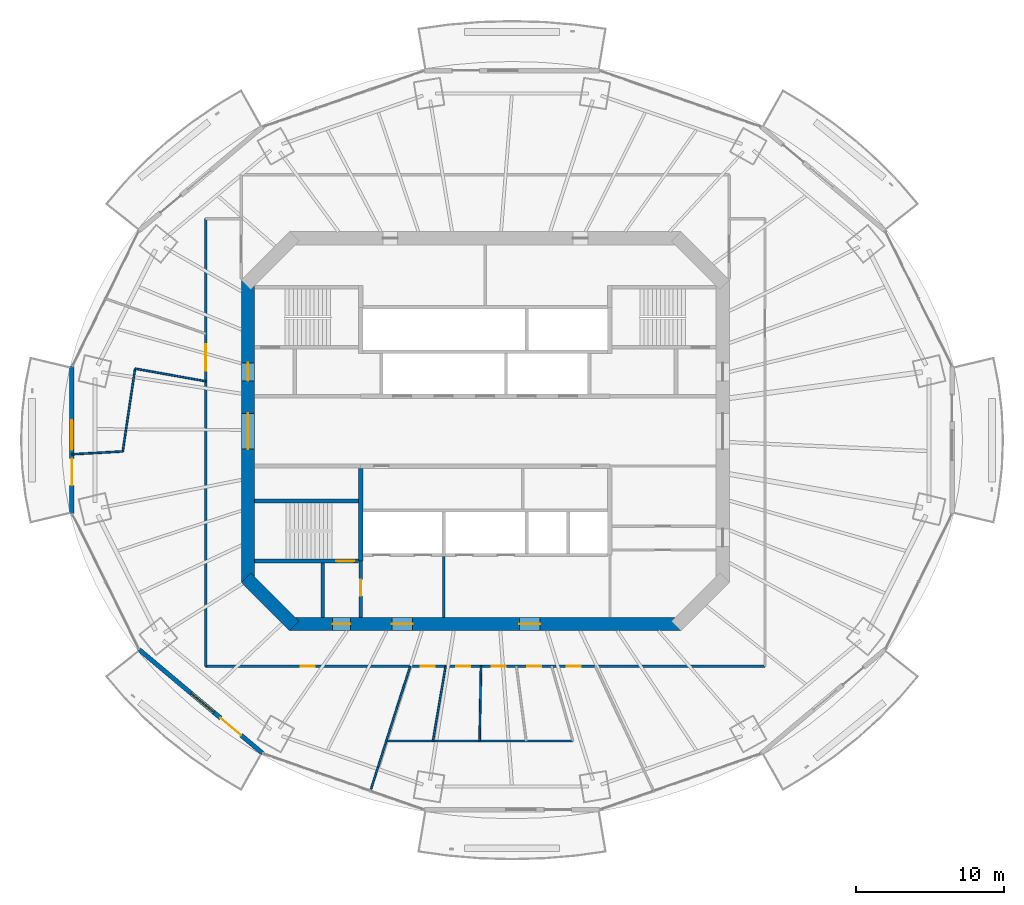
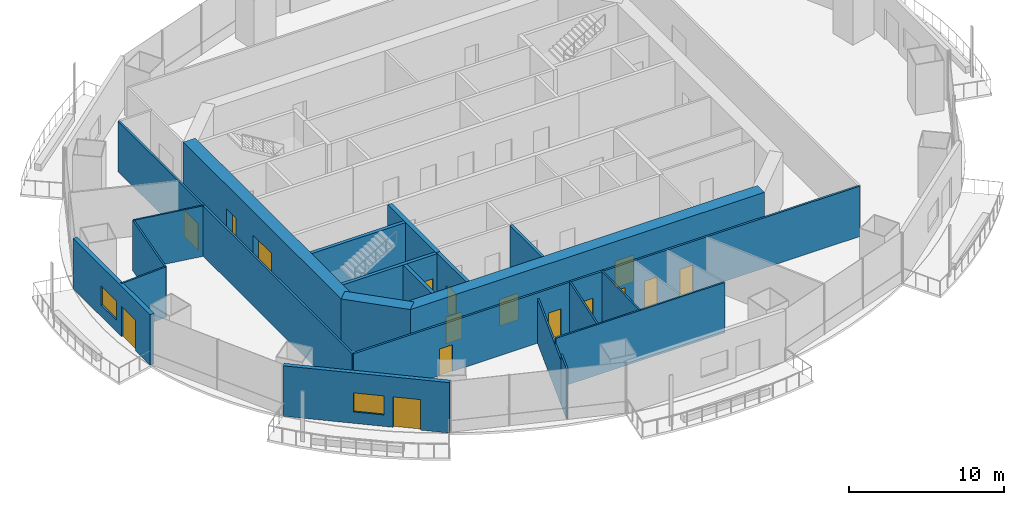
# One storey, part 10 of 19: 21 walls, 16 doors, 2 windows, 18 openings.
"""IFC4 building model written with IfcOpenShell, lengths in metres."""

from ifc_helpers import new_model, si_unit, direction, frame, frame_2d, origin, place, context, subcontext, project, spatial, rectangle, extrude, material, layer, layer_set, type_object, element, fill, save


model = new_model("IFC4")

# Units and contexts
model_context = context("Model", 3, precision=1e-05, world=origin(), true_north=direction((0.0, 1.0)))
body_context = subcontext(model_context, "Body", "Model", "MODEL_VIEW")
ifc_project = project(units=[si_unit("LENGTHUNIT", "METRE"), si_unit("AREAUNIT", "SQUARE_METRE"), si_unit("VOLUMEUNIT", "CUBIC_METRE"), si_unit("PLANEANGLEUNIT", "RADIAN"), si_unit("MASSUNIT", "GRAM", prefix="KILO")], contexts=[model_context])

# Site, building, storey
site_placement = place(None, origin())
site = spatial("IfcSite", under=ifc_project, at=site_placement, CompositionType="ELEMENT")
building_placement = place(site_placement, origin())
building = spatial("IfcBuilding", under=site, at=building_placement, Name="Marenthal Gate Tower", CompositionType="ELEMENT")
storey_placement = place(building_placement, frame((0.0, 0.0, 235.75)))
storey = spatial("IfcBuildingStorey", under=building, at=storey_placement, Name="L52", CompositionType="ELEMENT", Elevation=235.75)

# Wall, openings, doors
ifc_material_1 = material(Name="Concrete 60 MPa", Category="concrete")
ifc_layer_1 = layer(ifc_material_1, 0.89990234375)
ifc_layer_set_1 = layer_set([ifc_layer_1], Name="Core shear wall 900")
wall_type_1 = type_object("IfcWallType", Name="Core shear wall 900", PredefinedType="SHEAR", material=ifc_layer_set_1)
wall_1_placement = place(storey_placement, frame((-16.0, 10.186279296875, -0.179931640625), z_axis=(0.0, 0.0, 1.0), x_axis=(0.0, -1.0, 0.0)))
wall_1 = element("IfcWall", 1, at=wall_1_placement, inside=storey, type_object=wall_type_1, Name="Core wall 06", PredefinedType="SHEAR", context=body_context, shape_type="SweptSolid", body=[
    extrude(rectangle(XDim=20.37255859375, YDim=0.89990234375, at=frame_2d((10.186279296875, 0.0))), origin(), (0.0, 0.0, 1.0), 4.14990234375),
])
opening_1_placement = place(wall_1_placement, frame((8.986328125, 0.0, 0.179931640625)))
opening_1 = element("IfcOpeningElement", 2, at=opening_1_placement, cuts=wall_1, Name="Opening D003.01", PredefinedType="OPENING", context=body_context, shape_type="SweptSolid", body=[
    extrude(rectangle(XDim=2.39990234375, YDim=2.10009765625, at=frame_2d((1.199951171875, 1.050048828125))), frame((0.0, 0.4599609375, 0.0), z_axis=(0.0, -1.0, 0.0), x_axis=(1.0, 0.0, 0.0)), (0.0, 0.0, 1.0), 0.919921875),
])
opening_2_placement = place(wall_1_placement, frame((5.58642578125, 0.0, 0.179931640625)))
opening_2 = element("IfcOpeningElement", 3, at=opening_2_placement, cuts=wall_1, Name="Opening D001.04", PredefinedType="OPENING", context=body_context, shape_type="SweptSolid", body=[
    extrude(rectangle(XDim=1.199951171875, YDim=2.10009765625, at=frame_2d((0.60009765625, 1.050048828125))), frame((0.0, 0.4599609375, 0.0), z_axis=(0.0, -1.0, 0.0), x_axis=(1.0, 0.0, 0.0)), (0.0, 0.0, 1.0), 0.919921875),
])
ifc_material_2 = material(Name="Steel fire door", Category="steel")
door_type_1 = type_object("IfcDoorType", Name="Double fire door FD 45 2400 x 2100", OperationType="DOUBLE_DOOR_SINGLE_SWING", PredefinedType="DOOR", material=ifc_material_2)
door_1_placement = place(opening_1_placement, origin())
door_1 = element("IfcDoor", 4, at=door_1_placement, inside=storey, type_object=door_type_1, Name="Door D003.01", OperationType="DOUBLE_DOOR_SINGLE_SWING", OverallHeight=2.10009765625, OverallWidth=2.39990234375, PredefinedType="DOOR", context=body_context, shape_type="SweptSolid", body=[
    extrude(rectangle(XDim=2.39990234375, YDim=2.10009765625, at=frame_2d((1.199951171875, 1.050048828125))), frame((0.0, 0.02490234375, 0.0), z_axis=(0.0, -1.0, 0.0), x_axis=(1.0, 0.0, 0.0)), (0.0, 0.0, 1.0), 0.050048828125),
])
fill(opening_1, door_1)
ifc_material_3 = material(Name="Steel fire door", Category="steel")
door_type_2 = type_object("IfcDoorType", Name="Fire door FD 90 1200 x 2100", OperationType="NOTDEFINED", PredefinedType="DOOR", material=ifc_material_3)
door_2_placement = place(opening_2_placement, origin())
door_2 = element("IfcDoor", 5, at=door_2_placement, inside=storey, type_object=door_type_2, Name="Door D001.04", OperationType="SINGLE_SWING_RIGHT", OverallHeight=2.10009765625, OverallWidth=1.199951171875, PredefinedType="DOOR", context=body_context, shape_type="SweptSolid", body=[
    extrude(rectangle(XDim=1.199951171875, YDim=2.10009765625, at=frame_2d((0.60009765625, 1.050048828125))), frame((0.0, 0.02490234375, 0.0), z_axis=(0.0, -1.0, 0.0), x_axis=(1.0, 0.0, 0.0)), (0.0, 0.0, 1.0), 0.050048828125),
])
fill(opening_2, door_2)

# Wall
wall_2_placement = place(storey_placement, frame((-16.1318359375, -9.8681640625, -0.179931640625), z_axis=(0.0, 0.0, 1.0), x_axis=(0.707106781187, -0.707106781187, 0.0)))
element("IfcWall", 6, at=wall_2_placement, inside=storey, type_object=wall_type_1, Name="Core wall 07", PredefinedType="SHEAR", context=body_context, shape_type="SweptSolid", body=[
    extrude(rectangle(XDim=4.615478515625, YDim=0.89990234375, at=frame_2d((2.3076171875, 0.0))), origin(), (0.0, 0.0, 1.0), 4.14990234375),
])

# Wall, openings, doors
wall_3_placement = place(storey_placement, frame((-13.186279296875, -13.0, -0.179931640625), z_axis=(0.0, 0.0, 1.0), x_axis=(1.0, 0.0, 0.0)))
wall_3 = element("IfcWall", 7, at=wall_3_placement, inside=storey, type_object=wall_type_1, Name="Core wall 08", PredefinedType="SHEAR", context=body_context, shape_type="SweptSolid", body=[
    extrude(rectangle(XDim=26.37255859375, YDim=0.89990234375, at=frame_2d((13.186279296875, 0.0))), origin(), (0.0, 0.0, 1.0), 4.14990234375),
])
opening_3_placement = place(wall_3_placement, frame((2.886474609375, 0.0, 0.179931640625)))
opening_3 = element("IfcOpeningElement", 8, at=opening_3_placement, cuts=wall_3, Name="Opening D001.06", PredefinedType="OPENING", context=body_context, shape_type="SweptSolid", body=[
    extrude(rectangle(XDim=1.199951171875, YDim=2.10009765625, at=frame_2d((0.60009765625, 1.050048828125))), frame((0.0, 0.4599609375, 0.0), z_axis=(0.0, -1.0, 0.0), x_axis=(1.0, 0.0, 0.0)), (0.0, 0.0, 1.0), 0.919921875),
])
opening_4_placement = place(wall_3_placement, frame((6.886474609375, 0.0, 0.179931640625)))
opening_4 = element("IfcOpeningElement", 9, at=opening_4_placement, cuts=wall_3, Name="Opening D004.01", PredefinedType="OPENING", context=body_context, shape_type="SweptSolid", body=[
    extrude(rectangle(XDim=1.39990234375, YDim=2.10009765625, at=frame_2d((0.699951171875, 1.050048828125))), frame((0.0, 0.4599609375, 0.0), z_axis=(0.0, -1.0, 0.0), x_axis=(1.0, 0.0, 0.0)), (0.0, 0.0, 1.0), 0.919921875),
])
opening_5_placement = place(wall_3_placement, frame((15.486328125, 0.0, 0.179931640625)))
opening_5 = element("IfcOpeningElement", 10, at=opening_5_placement, cuts=wall_3, Name="Opening D004.02", PredefinedType="OPENING", context=body_context, shape_type="SweptSolid", body=[
    extrude(rectangle(XDim=1.39990234375, YDim=2.10009765625, at=frame_2d((0.699951171875, 1.050048828125))), frame((0.0, 0.4599609375, 0.0), z_axis=(0.0, -1.0, 0.0), x_axis=(1.0, 0.0, 0.0)), (0.0, 0.0, 1.0), 0.919921875),
])
ifc_material_4 = material(Name="Steel fire door", Category="steel")
door_type_3 = type_object("IfcDoorType", Name="Fire door FD 45 1400 x 2100", OperationType="NOTDEFINED", PredefinedType="DOOR", material=ifc_material_4)
door_3_placement = place(opening_4_placement, origin())
door_3 = element("IfcDoor", 11, at=door_3_placement, inside=storey, type_object=door_type_3, Name="Door D004.01", OperationType="SINGLE_SWING_RIGHT", OverallHeight=2.10009765625, OverallWidth=1.39990234375, PredefinedType="DOOR", context=body_context, shape_type="SweptSolid", body=[
    extrude(rectangle(XDim=1.39990234375, YDim=2.10009765625, at=frame_2d((0.699951171875, 1.050048828125))), frame((0.0, 0.02490234375, 0.0), z_axis=(0.0, -1.0, 0.0), x_axis=(1.0, 0.0, 0.0)), (0.0, 0.0, 1.0), 0.050048828125),
])
fill(opening_4, door_3)
door_4_placement = place(opening_5_placement, origin())
door_4 = element("IfcDoor", 12, at=door_4_placement, inside=storey, type_object=door_type_3, Name="Door D004.02", OperationType="SINGLE_SWING_RIGHT", OverallHeight=2.10009765625, OverallWidth=1.39990234375, PredefinedType="DOOR", context=body_context, shape_type="SweptSolid", body=[
    extrude(rectangle(XDim=1.39990234375, YDim=2.10009765625, at=frame_2d((0.699951171875, 1.050048828125))), frame((0.0, 0.02490234375, 0.0), z_axis=(0.0, -1.0, 0.0), x_axis=(1.0, 0.0, 0.0)), (0.0, 0.0, 1.0), 0.050048828125),
])
fill(opening_5, door_4)
door_5_placement = place(opening_3_placement, origin())
door_5 = element("IfcDoor", 13, at=door_5_placement, inside=storey, type_object=door_type_2, Name="Door D001.06", OperationType="SINGLE_SWING_RIGHT", OverallHeight=2.10009765625, OverallWidth=1.199951171875, PredefinedType="DOOR", context=body_context, shape_type="SweptSolid", body=[
    extrude(rectangle(XDim=1.199951171875, YDim=2.10009765625, at=frame_2d((0.60009765625, 1.050048828125))), frame((0.0, 0.02490234375, 0.0), z_axis=(0.0, -1.0, 0.0), x_axis=(1.0, 0.0, 0.0)), (0.0, 0.0, 1.0), 0.050048828125),
])
fill(opening_3, door_5)

# Walls
ifc_material_5 = material(Name="Gypsum board on steel studs", Category="steel")
ifc_layer_2 = layer(ifc_material_5, 0.199951171875)
ifc_layer_set_2 = layer_set([ifc_layer_2], Name="Fire lobby wall 200")
wall_type_2 = type_object("IfcWallType", Name="Fire lobby wall 200", PredefinedType="PARTITIONING", material=ifc_layer_set_2)
wall_4_placement = place(storey_placement, frame((-2.800048828125, -12.550048828125, 0.0), z_axis=(0.0, 0.0, 1.0), x_axis=(0.0, 1.0, 0.0)))
element("IfcWall", 14, at=wall_4_placement, inside=storey, type_object=wall_type_2, Name="Fire wall 35", PredefinedType="PARTITIONING", context=body_context, shape_type="SweptSolid", body=[
    extrude(rectangle(XDim=4.090087890625, YDim=0.199951171875, at=frame_2d((2.044921875, 0.0))), origin(), (0.0, 0.0, 1.0), 3.969970703125),
])
ifc_material_6 = material(Name="Concrete 50 MPa", Category="concrete")
ifc_layer_3 = layer(ifc_material_6, 0.300048828125)
ifc_layer_set_3 = layer_set([ifc_layer_3], Name="Hoistway shear wall 300")
wall_type_3 = type_object("IfcWallType", Name="Hoistway shear wall 300", PredefinedType="SHEAR", material=ifc_layer_set_3)
wall_5_placement = place(storey_placement, frame((-8.39990234375, -8.75, -0.179931640625), z_axis=(0.0, 0.0, 1.0), x_axis=(0.0, 1.0, 0.0)))
element("IfcWall", 15, at=wall_5_placement, inside=storey, type_object=wall_type_3, Name="Hoistway wall 31", PredefinedType="SHEAR", context=body_context, shape_type="SweptSolid", body=[
    extrude(rectangle(XDim=6.25, YDim=0.300048828125, at=frame_2d((3.125, 0.0))), origin(), (0.0, 0.0, 1.0), 4.14990234375),
])
ifc_material_7 = material(Name="Gypsum board on steel studs", Category="steel")
ifc_layer_4 = layer(ifc_material_7, 0.1201171875)
ifc_layer_set_4 = layer_set([ifc_layer_4], Name="Partition 120")
wall_type_4 = type_object("IfcWallType", Name="Partition 120", PredefinedType="PARTITIONING", material=ifc_layer_set_4)
wall_6_placement = place(storey_placement, frame((-24.438720703125, -1.364013671875, 0.0), z_axis=(0.0, 0.0, 1.0), x_axis=(-0.998446307291, -0.055722270749, 0.0)))
element("IfcWall", 16, at=wall_6_placement, inside=storey, type_object=wall_type_4, Name="Partition wall 49", PredefinedType="PARTITIONING", context=body_context, shape_type="SweptSolid", body=[
    extrude(rectangle(XDim=3.4306640625, YDim=0.1201171875, at=frame_2d((1.71533203125, 0.0))), origin(), (0.0, 0.0, 1.0), 3.969970703125),
])
wall_7_placement = place(storey_placement, frame((-23.607666015625, 4.216552734375, 0.0), z_axis=(0.0, 0.0, 1.0), x_axis=(-0.14729509075, -0.98909259235, 0.0)))
element("IfcWall", 17, at=wall_7_placement, inside=storey, type_object=wall_type_4, Name="Partition wall 50", PredefinedType="PARTITIONING", context=body_context, shape_type="SweptSolid", body=[
    extrude(rectangle(XDim=5.64208984375, YDim=0.1201171875, at=frame_2d((2.821044921875, 0.0))), origin(), (0.0, 0.0, 1.0), 3.969970703125),
])
wall_8_placement = place(storey_placement, frame((-23.607666015625, 4.216552734375, 0.0), z_axis=(0.0, 0.0, 1.0), x_axis=(0.984417270676, -0.175848335774, 0.0)))
element("IfcWall", 18, at=wall_8_placement, inside=storey, type_object=wall_type_4, Name="Partition wall 51", PredefinedType="PARTITIONING", context=body_context, shape_type="SweptSolid", body=[
    extrude(rectangle(XDim=4.832763671875, YDim=0.1201171875, at=frame_2d((2.41650390625, 0.0))), origin(), (0.0, 0.0, 1.0), 3.969970703125),
])
wall_9_placement = place(storey_placement, frame((-6.671630859375, -20.88623046875, 0.0), z_axis=(0.0, 0.0, 1.0), x_axis=(1.0, 0.0, 0.0)))
element("IfcWall", 19, at=wall_9_placement, inside=storey, type_object=wall_type_4, Name="Partition wall 57", PredefinedType="PARTITIONING", context=body_context, shape_type="SweptSolid", body=[
    extrude(rectangle(XDim=12.576416015625, YDim=0.1201171875, at=frame_2d((6.2880859375, 0.0))), origin(), (0.0, 0.0, 1.0), 3.969970703125),
])
wall_10_placement = place(storey_placement, frame((-5.06298828125, -15.85009765625, 0.0), z_axis=(0.0, 0.0, 1.0), x_axis=(-0.30428402172, -0.952581353022, 0.0)))
element("IfcWall", 20, at=wall_10_placement, inside=storey, type_object=wall_type_4, Name="Partition wall 58", PredefinedType="PARTITIONING", context=body_context, shape_type="SweptSolid", body=[
    extrude(rectangle(XDim=7.15283203125, YDim=0.1201171875, at=frame_2d((3.576416015625, 0.0))), origin(), (0.0, 0.0, 1.0), 3.5029296875),
])
wall_11_placement = place(storey_placement, frame((-7.239501953125, -22.663818359375, 0.0), z_axis=(0.0, 0.0, 1.0), x_axis=(-0.304278938766, -0.95258297666, 0.0)))
element("IfcWall", 21, at=wall_11_placement, inside=storey, type_object=wall_type_4, Name="Partition wall 68", PredefinedType="PARTITIONING", context=body_context, shape_type="SweptSolid", body=[
    extrude(rectangle(XDim=1.658447265625, YDim=0.1201171875, at=frame_2d((0.8291015625, 0.0))), origin(), (0.0, 0.0, 1.0), 3.969970703125),
])
wall_12_placement = place(storey_placement, frame((-3.527587890625, -20.88623046875, 0.0), z_axis=(0.0, 0.0, 1.0), x_axis=(0.166538009688, 0.986035035548, 0.0)))
element("IfcWall", 22, at=wall_12_placement, inside=storey, type_object=wall_type_4, Name="Partition wall 59", PredefinedType="PARTITIONING", context=body_context, shape_type="SweptSolid", body=[
    extrude(rectangle(XDim=5.107421875, YDim=0.1201171875, at=frame_2d((2.5537109375, 0.0))), origin(), (0.0, 0.0, 1.0), 3.969970703125),
])
wall_13_placement = place(storey_placement, frame((-0.383544921875, -20.88623046875, 0.0), z_axis=(0.0, 0.0, 1.0), x_axis=(0.018369984808, 0.999831257592, 0.0)))
element("IfcWall", 23, at=wall_13_placement, inside=storey, type_object=wall_type_4, Name="Partition wall 60", PredefinedType="PARTITIONING", context=body_context, shape_type="SweptSolid", body=[
    extrude(rectangle(XDim=5.036865234375, YDim=0.1201171875, at=frame_2d((2.5185546875, 0.0))), origin(), (0.0, 0.0, 1.0), 3.969970703125),
])

# Wall, opening, door
ifc_material_8 = material(Name="Gypsum board on steel studs", Category="steel")
ifc_layer_5 = layer(ifc_material_8, 0.14990234375)
ifc_layer_set_5 = layer_set([ifc_layer_5], Name="Partition 150")
wall_type_5 = type_object("IfcWallType", Name="Partition 150", PredefinedType="PARTITIONING", material=ifc_layer_set_5)
wall_14_placement = place(storey_placement, frame((-18.85009765625, -15.85009765625, 0.0), z_axis=(0.0, 0.0, 1.0), x_axis=(0.0, 1.0, 0.0)))
wall_14 = element("IfcWall", 24, at=wall_14_placement, inside=storey, type_object=wall_type_5, Name="Partition wall 52", PredefinedType="PARTITIONING", context=body_context, shape_type="SweptSolid", body=[
    extrude(rectangle(XDim=30.176025390625, YDim=0.14990234375, at=frame_2d((15.087890625, 0.0))), origin(), (0.0, 0.0, 1.0), 3.969970703125),
])
opening_6_placement = place(wall_14_placement, frame((19.9208984375, 0.0, 0.0)))
opening_6 = element("IfcOpeningElement", 25, at=opening_6_placement, cuts=wall_14, Name="Opening D014.01", PredefinedType="OPENING", context=body_context, shape_type="SweptSolid", body=[
    extrude(rectangle(XDim=1.800048828125, YDim=2.10009765625, at=frame_2d((0.89990234375, 1.050048828125))), frame((0.0, 0.0849609375, 0.0), z_axis=(0.0, -1.0, 0.0), x_axis=(1.0, 0.0, 0.0)), (0.0, 0.0, 1.0), 0.169921875),
])
ifc_material_9 = material(Name="Timber door", Category="wood")
door_type_4 = type_object("IfcDoorType", Name="Double door 1800 x 2100", OperationType="DOUBLE_DOOR_SINGLE_SWING", PredefinedType="DOOR", material=ifc_material_9)
door_6_placement = place(opening_6_placement, origin())
door_6 = element("IfcDoor", 26, at=door_6_placement, inside=storey, type_object=door_type_4, Name="Door D014.01", OperationType="DOUBLE_DOOR_SINGLE_SWING", OverallHeight=2.10009765625, OverallWidth=1.800048828125, PredefinedType="DOOR", context=body_context, shape_type="SweptSolid", body=[
    extrude(rectangle(XDim=1.800048828125, YDim=2.10009765625, at=frame_2d((0.89990234375, 1.050048828125))), frame((0.0, 0.02490234375, 0.0), z_axis=(0.0, -1.0, 0.0), x_axis=(1.0, 0.0, 0.0)), (0.0, 0.0, 1.0), 0.050048828125),
])
fill(opening_6, door_6)

# Wall, openings, doors
wall_15_placement = place(storey_placement, frame((18.85009765625, -15.85009765625, 0.0), z_axis=(0.0, 0.0, 1.0), x_axis=(-1.0, 0.0, 0.0)))
wall_15 = element("IfcWall", 27, at=wall_15_placement, inside=storey, type_object=wall_type_5, Name="Partition wall 66", PredefinedType="PARTITIONING", context=body_context, shape_type="SweptSolid", body=[
    extrude(rectangle(XDim=37.7001953125, YDim=0.14990234375, at=frame_2d((18.85009765625, 0.0))), origin(), (0.0, 0.0, 1.0), 3.969970703125),
])
opening_7_placement = place(wall_15_placement, frame((30.33203125, 0.0, 0.0)))
opening_7 = element("IfcOpeningElement", 28, at=opening_7_placement, cuts=wall_15, Name="Opening D016.01", PredefinedType="OPENING", context=body_context, shape_type="SweptSolid", body=[
    extrude(rectangle(XDim=0.949951171875, YDim=2.10009765625, at=frame_2d((0.47509765625, 1.050048828125))), frame((0.0, 0.0849609375, 0.0), z_axis=(0.0, -1.0, 0.0), x_axis=(1.0, 0.0, 0.0)), (0.0, 0.0, 1.0), 0.169921875),
])
opening_8_placement = place(wall_15_placement, frame((22.2451171875, 0.0, 0.0)))
opening_8 = element("IfcOpeningElement", 29, at=opening_8_placement, cuts=wall_15, Name="Opening D016.02", PredefinedType="OPENING", context=body_context, shape_type="SweptSolid", body=[
    extrude(rectangle(XDim=0.949951171875, YDim=2.10009765625, at=frame_2d((0.47509765625, 1.050048828125))), frame((0.0, 0.0849609375, 0.0), z_axis=(0.0, -1.0, 0.0), x_axis=(1.0, 0.0, 0.0)), (0.0, 0.0, 1.0), 0.169921875),
])
opening_9_placement = place(wall_15_placement, frame((19.85888671875, 0.0, 0.0)))
opening_9 = element("IfcOpeningElement", 30, at=opening_9_placement, cuts=wall_15, Name="Opening D016.03", PredefinedType="OPENING", context=body_context, shape_type="SweptSolid", body=[
    extrude(rectangle(XDim=0.949951171875, YDim=2.10009765625, at=frame_2d((0.47509765625, 1.050048828125))), frame((0.0, 0.0849609375, 0.0), z_axis=(0.0, -1.0, 0.0), x_axis=(1.0, 0.0, 0.0)), (0.0, 0.0, 1.0), 0.169921875),
])
opening_10_placement = place(wall_15_placement, frame((17.472900390625, 0.0, 0.0)))
opening_10 = element("IfcOpeningElement", 31, at=opening_10_placement, cuts=wall_15, Name="Opening D016.04", PredefinedType="OPENING", context=body_context, shape_type="SweptSolid", body=[
    extrude(rectangle(XDim=0.949951171875, YDim=2.10009765625, at=frame_2d((0.47509765625, 1.050048828125))), frame((0.0, 0.0849609375, 0.0), z_axis=(0.0, -1.0, 0.0), x_axis=(1.0, 0.0, 0.0)), (0.0, 0.0, 1.0), 0.169921875),
])
opening_11_placement = place(wall_15_placement, frame((15.0869140625, 0.0, 0.0)))
opening_11 = element("IfcOpeningElement", 32, at=opening_11_placement, cuts=wall_15, Name="Opening D016.05", PredefinedType="OPENING", context=body_context, shape_type="SweptSolid", body=[
    extrude(rectangle(XDim=0.949951171875, YDim=2.10009765625, at=frame_2d((0.47509765625, 1.050048828125))), frame((0.0, 0.0849609375, 0.0), z_axis=(0.0, -1.0, 0.0), x_axis=(1.0, 0.0, 0.0)), (0.0, 0.0, 1.0), 0.169921875),
])
opening_12_placement = place(wall_15_placement, frame((12.426025390625, 0.0, 0.0)))
opening_12 = element("IfcOpeningElement", 33, at=opening_12_placement, cuts=wall_15, Name="Opening D016.06", PredefinedType="OPENING", context=body_context, shape_type="SweptSolid", body=[
    extrude(rectangle(XDim=0.949951171875, YDim=2.10009765625, at=frame_2d((0.47509765625, 1.050048828125))), frame((0.0, 0.0849609375, 0.0), z_axis=(0.0, -1.0, 0.0), x_axis=(1.0, 0.0, 0.0)), (0.0, 0.0, 1.0), 0.169921875),
])
ifc_material_10 = material(Name="Timber door", Category="wood")
door_type_5 = type_object("IfcDoorType", Name="Door 950 x 2100", OperationType="NOTDEFINED", PredefinedType="DOOR", material=ifc_material_10)
door_7_placement = place(opening_7_placement, frame((0.949951171875, 0.0, 0.0), z_axis=(0.0, 0.0, 1.0), x_axis=(-1.0, 0.0, 0.0)))
door_7 = element("IfcDoor", 34, at=door_7_placement, inside=storey, type_object=door_type_5, Name="Door D016.01", OperationType="SINGLE_SWING_LEFT", OverallHeight=2.10009765625, OverallWidth=0.949951171875, PredefinedType="DOOR", context=body_context, shape_type="SweptSolid", body=[
    extrude(rectangle(XDim=0.949951171875, YDim=2.10009765625, at=frame_2d((0.47509765625, 1.050048828125))), frame((0.0, 0.02490234375, 0.0), z_axis=(0.0, -1.0, 0.0), x_axis=(1.0, 0.0, 0.0)), (0.0, 0.0, 1.0), 0.050048828125),
])
fill(opening_7, door_7)
door_8_placement = place(opening_8_placement, origin())
door_8 = element("IfcDoor", 35, at=door_8_placement, inside=storey, type_object=door_type_5, Name="Door D016.02", OperationType="SINGLE_SWING_RIGHT", OverallHeight=2.10009765625, OverallWidth=0.949951171875, PredefinedType="DOOR", context=body_context, shape_type="SweptSolid", body=[
    extrude(rectangle(XDim=0.949951171875, YDim=2.10009765625, at=frame_2d((0.47509765625, 1.050048828125))), frame((0.0, 0.02490234375, 0.0), z_axis=(0.0, -1.0, 0.0), x_axis=(1.0, 0.0, 0.0)), (0.0, 0.0, 1.0), 0.050048828125),
])
fill(opening_8, door_8)
door_9_placement = place(opening_9_placement, origin())
door_9 = element("IfcDoor", 36, at=door_9_placement, inside=storey, type_object=door_type_5, Name="Door D016.03", OperationType="SINGLE_SWING_RIGHT", OverallHeight=2.10009765625, OverallWidth=0.949951171875, PredefinedType="DOOR", context=body_context, shape_type="SweptSolid", body=[
    extrude(rectangle(XDim=0.949951171875, YDim=2.10009765625, at=frame_2d((0.47509765625, 1.050048828125))), frame((0.0, 0.02490234375, 0.0), z_axis=(0.0, -1.0, 0.0), x_axis=(1.0, 0.0, 0.0)), (0.0, 0.0, 1.0), 0.050048828125),
])
fill(opening_9, door_9)
door_10_placement = place(opening_10_placement, origin())
door_10 = element("IfcDoor", 37, at=door_10_placement, inside=storey, type_object=door_type_5, Name="Door D016.04", OperationType="SINGLE_SWING_RIGHT", OverallHeight=2.10009765625, OverallWidth=0.949951171875, PredefinedType="DOOR", context=body_context, shape_type="SweptSolid", body=[
    extrude(rectangle(XDim=0.949951171875, YDim=2.10009765625, at=frame_2d((0.47509765625, 1.050048828125))), frame((0.0, 0.02490234375, 0.0), z_axis=(0.0, -1.0, 0.0), x_axis=(1.0, 0.0, 0.0)), (0.0, 0.0, 1.0), 0.050048828125),
])
fill(opening_10, door_10)
door_11_placement = place(opening_11_placement, origin())
door_11 = element("IfcDoor", 38, at=door_11_placement, inside=storey, type_object=door_type_5, Name="Door D016.05", OperationType="SINGLE_SWING_RIGHT", OverallHeight=2.10009765625, OverallWidth=0.949951171875, PredefinedType="DOOR", context=body_context, shape_type="SweptSolid", body=[
    extrude(rectangle(XDim=0.949951171875, YDim=2.10009765625, at=frame_2d((0.47509765625, 1.050048828125))), frame((0.0, 0.02490234375, 0.0), z_axis=(0.0, -1.0, 0.0), x_axis=(1.0, 0.0, 0.0)), (0.0, 0.0, 1.0), 0.050048828125),
])
fill(opening_11, door_11)
door_12_placement = place(opening_12_placement, origin())
door_12 = element("IfcDoor", 39, at=door_12_placement, inside=storey, type_object=door_type_5, Name="Door D016.06", OperationType="SINGLE_SWING_RIGHT", OverallHeight=2.10009765625, OverallWidth=0.949951171875, PredefinedType="DOOR", context=body_context, shape_type="SweptSolid", body=[
    extrude(rectangle(XDim=0.949951171875, YDim=2.10009765625, at=frame_2d((0.47509765625, 1.050048828125))), frame((0.0, 0.02490234375, 0.0), z_axis=(0.0, -1.0, 0.0), x_axis=(1.0, 0.0, 0.0)), (0.0, 0.0, 1.0), 0.050048828125),
])
fill(opening_12, door_12)

# Wall
ifc_material_11 = material(Name="Concrete 40 MPa", Category="concrete")
ifc_layer_6 = layer(ifc_material_11, 0.25)
ifc_layer_set_6 = layer_set([ifc_layer_6], Name="Stair enclosure wall 250")
wall_type_6 = type_object("IfcWallType", Name="Stair enclosure wall 250", PredefinedType="STANDARD", material=ifc_layer_set_6)
wall_16_placement = place(storey_placement, frame((-10.949951171875, -12.550048828125, 0.0), z_axis=(0.0, 0.0, 1.0), x_axis=(0.0, 1.0, 0.0)))
element("IfcWall", 40, at=wall_16_placement, inside=storey, type_object=wall_type_6, Name="Stair wall 29", PredefinedType="STANDARD", context=body_context, shape_type="SweptSolid", body=[
    extrude(rectangle(XDim=3.675048828125, YDim=0.25, at=frame_2d((1.83740234375, 0.0))), origin(), (0.0, 0.0, 1.0), 3.969970703125),
])

# Wall, opening, door
wall_17_placement = place(storey_placement, frame((-8.39990234375, -12.550048828125, 0.0), z_axis=(0.0, 0.0, 1.0), x_axis=(0.0, 1.0, 0.0)))
wall_17 = element("IfcWall", 41, at=wall_17_placement, inside=storey, type_object=wall_type_6, Name="Stair wall 30", PredefinedType="STANDARD", context=body_context, shape_type="SweptSolid", body=[
    extrude(rectangle(XDim=3.800048828125, YDim=0.25, at=frame_2d((1.89990234375, 0.0))), origin(), (0.0, 0.0, 1.0), 3.969970703125),
])
opening_13_placement = place(wall_17_placement, frame((1.449951171875, 0.0, 0.0)))
opening_13 = element("IfcOpeningElement", 42, at=opening_13_placement, cuts=wall_17, Name="Opening D002.01", PredefinedType="OPENING", context=body_context, shape_type="SweptSolid", body=[
    extrude(rectangle(XDim=1.10009765625, YDim=2.10009765625, at=frame_2d((0.550048828125, 1.050048828125))), frame((0.0, 0.135009765625, 0.0), z_axis=(0.0, -1.0, 0.0), x_axis=(1.0, 0.0, 0.0)), (0.0, 0.0, 1.0), 0.27001953125),
])
ifc_material_12 = material(Name="Steel fire door", Category="steel")
door_type_6 = type_object("IfcDoorType", Name="Fire door FD 90 1100 x 2100", OperationType="NOTDEFINED", PredefinedType="DOOR", material=ifc_material_12)
door_13_placement = place(opening_13_placement, origin())
door_13 = element("IfcDoor", 43, at=door_13_placement, inside=storey, type_object=door_type_6, Name="Door D002.01", OperationType="SINGLE_SWING_RIGHT", OverallHeight=2.10009765625, OverallWidth=1.10009765625, PredefinedType="DOOR", context=body_context, shape_type="SweptSolid", body=[
    extrude(rectangle(XDim=1.10009765625, YDim=2.10009765625, at=frame_2d((0.550048828125, 1.050048828125))), frame((0.0, 0.02490234375, 0.0), z_axis=(0.0, -1.0, 0.0), x_axis=(1.0, 0.0, 0.0)), (0.0, 0.0, 1.0), 0.050048828125),
])
fill(opening_13, door_13)

ifc_material_13 = material(Name="Concrete 50 MPa", Category="concrete")
ifc_layer_7 = layer(ifc_material_13, 0.25)
ifc_layer_set_7 = layer_set([ifc_layer_7], Name="Stair shear wall 250")
wall_type_7 = type_object("IfcWallType", Name="Stair shear wall 250", PredefinedType="SHEAR", material=ifc_layer_set_7)
wall_18_placement = place(storey_placement, frame((-15.550048828125, -8.75, -0.179931640625), z_axis=(0.0, 0.0, 1.0), x_axis=(1.0, 0.0, 0.0)))
wall_18 = element("IfcWall", 44, at=wall_18_placement, inside=storey, type_object=wall_type_7, Name="Stair wall 09", PredefinedType="SHEAR", context=body_context, shape_type="SweptSolid", body=[
    extrude(rectangle(XDim=7.0, YDim=0.25, at=frame_2d((3.5, 0.0))), origin(), (0.0, 0.0, 1.0), 4.14990234375),
])
opening_14_placement = place(wall_18_placement, frame((5.5, 0.0, 0.179931640625)))
opening_14 = element("IfcOpeningElement", 45, at=opening_14_placement, cuts=wall_18, Name="Opening D001.03", PredefinedType="OPENING", context=body_context, shape_type="SweptSolid", body=[
    extrude(rectangle(XDim=1.199951171875, YDim=2.10009765625, at=frame_2d((0.60009765625, 1.050048828125))), frame((0.0, 0.135009765625, 0.0), z_axis=(0.0, -1.0, 0.0), x_axis=(1.0, 0.0, 0.0)), (0.0, 0.0, 1.0), 0.27001953125),
])
door_14_placement = place(opening_14_placement, origin())
door_14 = element("IfcDoor", 46, at=door_14_placement, inside=storey, type_object=door_type_2, Name="Door D001.03", OperationType="SINGLE_SWING_RIGHT", OverallHeight=2.10009765625, OverallWidth=1.199951171875, PredefinedType="DOOR", context=body_context, shape_type="SweptSolid", body=[
    extrude(rectangle(XDim=1.199951171875, YDim=2.10009765625, at=frame_2d((0.60009765625, 1.050048828125))), frame((0.0, 0.02490234375, 0.0), z_axis=(0.0, -1.0, 0.0), x_axis=(1.0, 0.0, 0.0)), (0.0, 0.0, 1.0), 0.050048828125),
])
fill(opening_14, door_14)

# Wall
wall_19_placement = place(storey_placement, frame((-15.550048828125, -4.699951171875, -0.179931640625), z_axis=(0.0, 0.0, 1.0), x_axis=(1.0, 0.0, 0.0)))
element("IfcWall", 47, at=wall_19_placement, inside=storey, type_object=wall_type_7, Name="Stair wall 15", PredefinedType="SHEAR", context=body_context, shape_type="SweptSolid", body=[
    extrude(rectangle(XDim=7.0, YDim=0.25, at=frame_2d((3.5, 0.0))), origin(), (0.0, 0.0, 1.0), 4.14990234375),
])

# Wall, openings, door, window
ifc_material_14 = material(Name="Terracotta cladding on insulated concrete-block backing", Category="masonry")
ifc_layer_8 = layer(ifc_material_14, 0.300048828125)
ifc_layer_set_8 = layer_set([ifc_layer_8], Name="Terracotta facade wall 300")
wall_type_8 = type_object("IfcWallType", Name="Terracotta facade wall 300", PredefinedType="SOLIDWALL", material=ifc_layer_set_8)
wall_20_placement = place(storey_placement, frame((-27.864013671875, 4.35498046875, 0.0), z_axis=(0.0, 0.0, 1.0), x_axis=(0.0, -1.0, 0.0)))
wall_20 = element("IfcWall", 48, at=wall_20_placement, inside=storey, type_object=wall_type_8, Name="Terracotta facade wall L52 bay 8", PredefinedType="SOLIDWALL", context=body_context, shape_type="SweptSolid", body=[
    extrude(rectangle(XDim=9.91015625, YDim=0.300048828125, at=frame_2d((4.955078125, 0.0))), origin(), (0.0, 0.0, 1.0), 3.969970703125),
])
opening_15_placement = place(wall_20_placement, frame((6.210205078125, 0.0, 0.0)))
opening_15 = element("IfcOpeningElement", 49, at=opening_15_placement, cuts=wall_20, Name="Opening BD-L52-08", PredefinedType="OPENING", context=body_context, shape_type="SweptSolid", body=[
    extrude(rectangle(XDim=1.800048828125, YDim=2.39990234375, at=frame_2d((0.89990234375, 1.199951171875))), frame((0.0, 0.16015625, 0.0), z_axis=(0.0, -1.0, 0.0), x_axis=(1.0, 0.0, 0.0)), (0.0, 0.0, 1.0), 0.320068359375),
])
opening_16_placement = place(wall_20_placement, frame((3.610107421875, 0.0, 0.89990234375)))
opening_16 = element("IfcOpeningElement", 50, at=opening_16_placement, cuts=wall_20, Name="Opening WN2-L52-08", PredefinedType="OPENING", context=body_context, shape_type="SweptSolid", body=[
    extrude(rectangle(XDim=2.0, YDim=1.5, at=frame_2d((1.0, 0.75))), frame((0.0, 0.16015625, 0.0), z_axis=(0.0, -1.0, 0.0), x_axis=(1.0, 0.0, 0.0)), (0.0, 0.0, 1.0), 0.320068359375),
])
ifc_material_15 = material(Name="Aluminium and glass", Category="aluminium")
door_type_7 = type_object("IfcDoorType", Name="Balcony door 1800x2400", OperationType="DOUBLE_DOOR_SINGLE_SWING", PredefinedType="DOOR", material=ifc_material_15)
door_15_placement = place(opening_15_placement, origin())
door_15 = element("IfcDoor", 51, at=door_15_placement, inside=storey, type_object=door_type_7, Name="Balcony door L52 bay 8", OperationType="SINGLE_SWING_LEFT", OverallHeight=2.39990234375, OverallWidth=1.800048828125, PredefinedType="DOOR", context=body_context, shape_type="SweptSolid", body=[
    extrude(rectangle(XDim=1.800048828125, YDim=2.39990234375, at=frame_2d((0.89990234375, 1.199951171875))), frame((0.0, 0.02490234375, 0.0), z_axis=(0.0, -1.0, 0.0), x_axis=(1.0, 0.0, 0.0)), (0.0, 0.0, 1.0), 0.050048828125),
])
fill(opening_15, door_15)
ifc_material_16 = material(Name="Aluminium and glass", Category="aluminium")
window_type = type_object("IfcWindowType", Name="Window 2000x1500", PartitioningType="DOUBLE_PANEL_VERTICAL", PredefinedType="WINDOW", material=ifc_material_16)
window_1_placement = place(opening_16_placement, origin())
window_1 = element("IfcWindow", 52, at=window_1_placement, inside=storey, type_object=window_type, Name="Window L52 bay 8", OverallHeight=1.5, OverallWidth=2.0, PartitioningType="SINGLE_PANEL", PredefinedType="WINDOW", context=body_context, shape_type="SweptSolid", body=[
    extrude(rectangle(XDim=2.0, YDim=1.5, at=frame_2d((1.0, 0.75))), frame((0.0, 0.030029296875, 0.0), z_axis=(0.0, -1.0, 0.0), x_axis=(1.0, 0.0, 0.0)), (0.0, 0.0, 1.0), 0.06005859375),
])
fill(opening_16, window_1)

wall_21_placement = place(storey_placement, frame((-23.347900390625, -14.7109375, 0.0), z_axis=(0.0, 0.0, 1.0), x_axis=(0.765795338051, -0.643084364777, 0.0)))
wall_21 = element("IfcWall", 53, at=wall_21_placement, inside=storey, type_object=wall_type_8, Name="Terracotta facade wall L52 bay 10", PredefinedType="SOLIDWALL", context=body_context, shape_type="SweptSolid", body=[
    extrude(rectangle(XDim=10.896728515625, YDim=0.300048828125, at=frame_2d((5.4482421875, 0.0))), origin(), (0.0, 0.0, 1.0), 3.969970703125),
])
opening_17_placement = place(wall_21_placement, frame((7.19677734375, 0.0, 0.0)))
opening_17 = element("IfcOpeningElement", 54, at=opening_17_placement, cuts=wall_21, Name="Opening BD-L52-10", PredefinedType="OPENING", context=body_context, shape_type="SweptSolid", body=[
    extrude(rectangle(XDim=1.800048828125, YDim=2.39990234375, at=frame_2d((0.89990234375, 1.199951171875))), frame((0.0, 0.16015625, 0.0), z_axis=(0.0, -1.0, 0.0), x_axis=(1.0, 0.0, 0.0)), (0.0, 0.0, 1.0), 0.320068359375),
])
opening_18_placement = place(wall_21_placement, frame((4.5966796875, 0.0, 0.89990234375)))
opening_18 = element("IfcOpeningElement", 55, at=opening_18_placement, cuts=wall_21, Name="Opening WN2-L52-10", PredefinedType="OPENING", context=body_context, shape_type="SweptSolid", body=[
    extrude(rectangle(XDim=2.0, YDim=1.5, at=frame_2d((1.0, 0.75))), frame((0.0, 0.16015625, 0.0), z_axis=(0.0, -1.0, 0.0), x_axis=(1.0, 0.0, 0.0)), (0.0, 0.0, 1.0), 0.320068359375),
])
door_16_placement = place(opening_17_placement, origin())
door_16 = element("IfcDoor", 56, at=door_16_placement, inside=storey, type_object=door_type_7, Name="Balcony door L52 bay 10", OperationType="SINGLE_SWING_LEFT", OverallHeight=2.39990234375, OverallWidth=1.800048828125, PredefinedType="DOOR", context=body_context, shape_type="SweptSolid", body=[
    extrude(rectangle(XDim=1.800048828125, YDim=2.39990234375, at=frame_2d((0.89990234375, 1.199951171875))), frame((0.0, 0.02490234375, 0.0), z_axis=(0.0, -1.0, 0.0), x_axis=(1.0, 0.0, 0.0)), (0.0, 0.0, 1.0), 0.050048828125),
])
fill(opening_17, door_16)
window_2_placement = place(opening_18_placement, origin())
window_2 = element("IfcWindow", 57, at=window_2_placement, inside=storey, type_object=window_type, Name="Window L52 bay 10", OverallHeight=1.5, OverallWidth=2.0, PartitioningType="SINGLE_PANEL", PredefinedType="WINDOW", context=body_context, shape_type="SweptSolid", body=[
    extrude(rectangle(XDim=2.0, YDim=1.5, at=frame_2d((1.0, 0.75))), frame((0.0, 0.030029296875, 0.0), z_axis=(0.0, -1.0, 0.0), x_axis=(1.0, 0.0, 0.0)), (0.0, 0.0, 1.0), 0.06005859375),
])
fill(opening_18, window_2)

save(model, "model.ifc")
